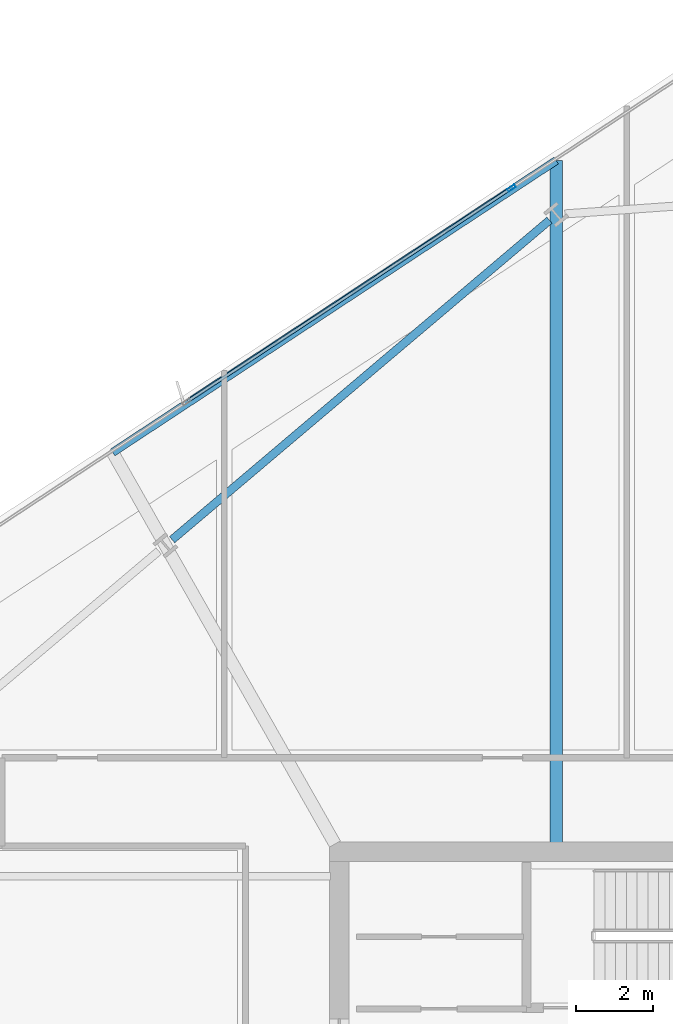
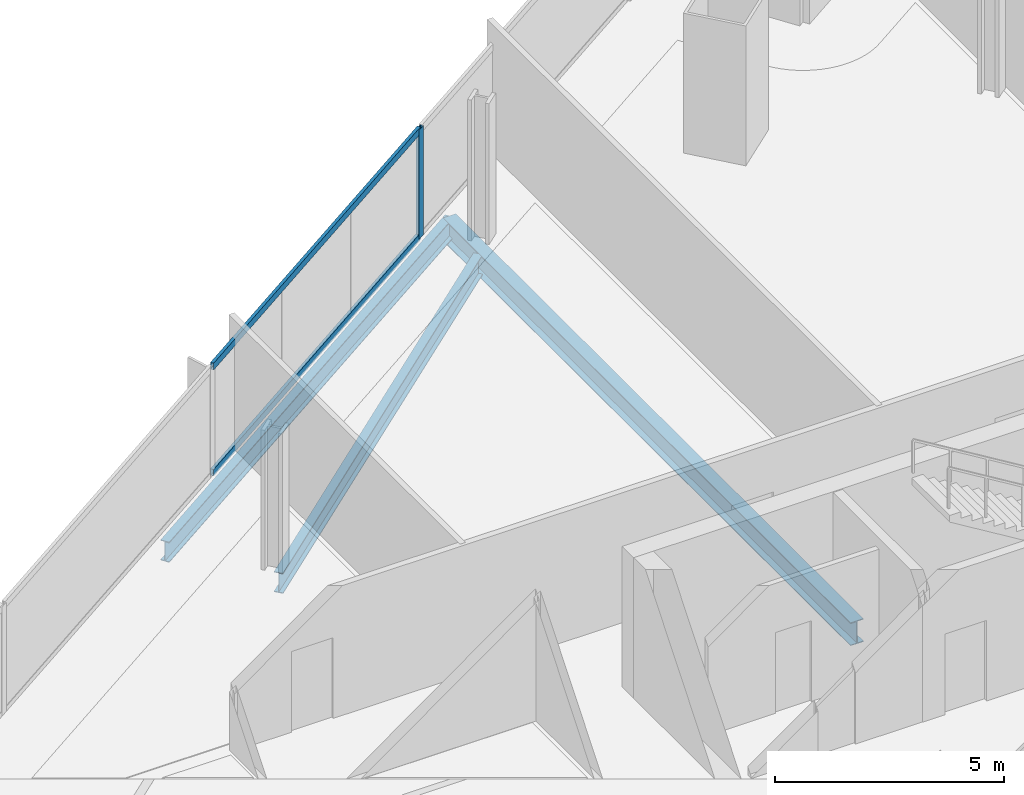
# One storey, part 15 of 29: 3 beams, 3 members, 1 element without a shape of its own.
"""IFC4 building model written with IfcOpenShell, lengths in metres."""

from ifc_helpers import new_model, si_unit, direction, frame, origin, origin_2d, place, context, subcontext, project, spatial, hollow_rectangle, i_section, extrude, material, material_profile, profile_set, type_object, element, aggregate, save


model = new_model("IFC4")

# Units and contexts
model_context = context("Model", 3, precision=1e-05, world=origin(), true_north=direction((0.0, 1.0)))
body_context = subcontext(model_context, "Body", "Model", "MODEL_VIEW")
ifc_project = project(units=[si_unit("LENGTHUNIT", "METRE"), si_unit("AREAUNIT", "SQUARE_METRE"), si_unit("VOLUMEUNIT", "CUBIC_METRE"), si_unit("PLANEANGLEUNIT", "RADIAN"), si_unit("MASSUNIT", "GRAM", prefix="KILO")], contexts=[model_context])

# Site, building, storey
site_placement = place(None, origin())
site = spatial("IfcSite", under=ifc_project, at=site_placement, CompositionType="ELEMENT")
building_placement = place(site_placement, origin())
building = spatial("IfcBuilding", under=site, at=building_placement, Name="Haldenkirk Collegiate Tower", CompositionType="ELEMENT")
storey_placement = place(building_placement, frame((0.0, 0.0, 140.699951171875)))
storey = spatial("IfcBuildingStorey", under=building, at=storey_placement, Name="L34", CompositionType="ELEMENT", Elevation=140.699951171875)

# Beams
ifc_material_1 = material(Name="Steel ASTM A992 Grade 50", Category="steel")
ifc_material_profile_1 = material_profile(ifc_material_1, i_section(OverallWidth=0.324951171875, OverallDepth=0.615966796875, WebThickness=0.013916015625, FlangeThickness=0.021484375, at=origin_2d()), Name="W24X117")
ifc_profile_set_1 = profile_set([ifc_material_profile_1], Name="Steel ASTM A992 Grade 50")
beam_type_1 = type_object("IfcBeamType", Name="BM-GIRDER-W24X117", PredefinedType="BEAM", material=ifc_profile_set_1)
beam_1_placement = place(storey_placement, frame((32.657470703125, 52.028564453125, -0.597900390625), z_axis=(0.0, -1.0, 0.0), x_axis=(1.0, 0.0, 0.0)))
element("IfcBeam", 1, at=beam_1_placement, inside=storey, type_object=beam_type_1, Name="L34 primary floor girder 11", PredefinedType="BEAM", context=body_context, shape_type="SweptSolid", body=[
    extrude(i_section(OverallWidth=0.324951171875, OverallDepth=0.615966796875, WebThickness=0.013916015625, FlangeThickness=0.021484375, at=origin_2d()), origin(), (0.0, 0.0, 1.0), 17.798583984375),
])
ifc_material_profile_2 = material_profile(ifc_material_1, i_section(OverallWidth=0.2119140625, OverallDepth=0.5439453125, WebThickness=0.01318359375, FlangeThickness=0.021240234375, at=origin_2d()), Name="W21X83")
ifc_profile_set_2 = profile_set([ifc_material_profile_2], Name="Steel ASTM A992 Grade 50")
beam_type_2 = type_object("IfcBeamType", Name="BM-SPANDREL-W21X83", PredefinedType="SPANDREL", material=ifc_profile_set_2)
beam_2_placement = place(storey_placement, frame((32.482666015625, 50.471435546875, -0.56201171875), z_axis=(-0.763233335078, -0.646122957514, 0.0), x_axis=(0.646122957514, -0.763233335078, 0.0)))
element("IfcBeam", 2, at=beam_2_placement, inside=storey, type_object=beam_type_2, Name="L34 perimeter spandrel beam 10", PredefinedType="SPANDREL", context=body_context, shape_type="SweptSolid", body=[
    extrude(i_section(OverallWidth=0.2119140625, OverallDepth=0.5439453125, WebThickness=0.01318359375, FlangeThickness=0.021240234375, at=origin_2d()), origin(), (0.0, 0.0, 1.0), 12.898193359375),
])
beam_3_placement = place(storey_placement, frame((32.657470703125, 52.028564453125, -0.56201171875), z_axis=(-0.835322293964, -0.54976055261, 0.0), x_axis=(0.54976055261, -0.835322293964, 0.0)))
element("IfcBeam", 3, at=beam_3_placement, inside=storey, type_object=beam_type_2, Name="L34 outer facade edge beam 3", PredefinedType="SPANDREL", context=body_context, shape_type="SweptSolid", body=[
    extrude(i_section(OverallWidth=0.2119140625, OverallDepth=0.5439453125, WebThickness=0.01318359375, FlangeThickness=0.021240234375, at=origin_2d()), origin(), (0.0, 0.0, 1.0), 13.85107421875),
])

# Curtain wall, members
ifc_material_2 = material(Name="Anodised architectural bronze aluminium", Category="aluminium")
curtain_wall_type = type_object("IfcCurtainWallType", Name="CW-SYS1-CONVEX-LOW", PredefinedType="USERDEFINED", material=ifc_material_2)
curtain_wall_placement = place(storey_placement, origin())
curtain_wall = element("IfcCurtainWall", 4, at=curtain_wall_placement, inside=storey, type_object=curtain_wall_type, Name="L34 Lower tower convex bronze-framed unitised curtain wall", ObjectType="UNITISED CURTAIN WALL", PredefinedType="USERDEFINED")
ifc_material_profile_3 = material_profile(ifc_material_2, hollow_rectangle(XDim=0.080078125, YDim=0.219970703125, WallThickness=0.0048828125, at=origin_2d()), Name="CW-MUL-1A")
ifc_profile_set_3 = profile_set([ifc_material_profile_3], Name="Anodised architectural bronze aluminium")
member_type_1 = type_object("IfcMemberType", Name="CW-MUL-1A", PredefinedType="MULLION", material=ifc_profile_set_3)
member_1_placement = place(storey_placement, frame((31.493408203125, 51.310302734375, 0.0), z_axis=(0.0, 0.0, 1.0), x_axis=(-0.549749899663, 0.835329305017, 0.0)))
member_1 = element("IfcMember", 5, at=member_1_placement, type_object=member_type_1, Name="CW-1A mullion 4", PredefinedType="MULLION", context=body_context, shape_type="SweptSolid", body=[
    extrude(hollow_rectangle(XDim=0.080078125, YDim=0.219970703125, WallThickness=0.0048828125, at=origin_2d()), origin(), (0.0, 0.0, 1.0), 2.9111328125),
])
ifc_material_profile_4 = material_profile(ifc_material_2, hollow_rectangle(XDim=0.080078125, YDim=0.179931640625, WallThickness=0.0048828125, at=origin_2d()), Name="CW-TRN-1A")
ifc_profile_set_4 = profile_set([ifc_material_profile_4], Name="Anodised architectural bronze aluminium")
member_type_2 = type_object("IfcMemberType", Name="CW-TRN-1A", PredefinedType="USERDEFINED", material=ifc_profile_set_4)
member_2_placement = place(storey_placement, frame((23.04833984375, 45.75244140625, 0.0400390625), z_axis=(0.835336512905, 0.549738947326, 0.0), x_axis=(-0.549738947326, 0.835336512905, 0.0)))
member_2 = element("IfcMember", 6, at=member_2_placement, type_object=member_type_2, Name="CW-1A transom 3.1", ObjectType="TRANSOM", PredefinedType="USERDEFINED", context=body_context, shape_type="SweptSolid", body=[
    extrude(hollow_rectangle(XDim=0.080078125, YDim=0.179931640625, WallThickness=0.0048828125, at=origin_2d()), origin(), (0.0, 0.0, 1.0), 10.070068359375),
])
member_3_placement = place(storey_placement, frame((23.04833984375, 45.75244140625, 2.87109375), z_axis=(0.835336512905, 0.549738947326, 0.0), x_axis=(-0.549738947326, 0.835336512905, 0.0)))
member_3 = element("IfcMember", 7, at=member_3_placement, type_object=member_type_2, Name="CW-1A transom 3.2", ObjectType="TRANSOM", PredefinedType="USERDEFINED", context=body_context, shape_type="SweptSolid", body=[
    extrude(hollow_rectangle(XDim=0.080078125, YDim=0.179931640625, WallThickness=0.0048828125, at=origin_2d()), origin(), (0.0, 0.0, 1.0), 10.070068359375),
])
aggregate(curtain_wall, [member_1, member_2, member_3])

save(model, "model.ifc")
